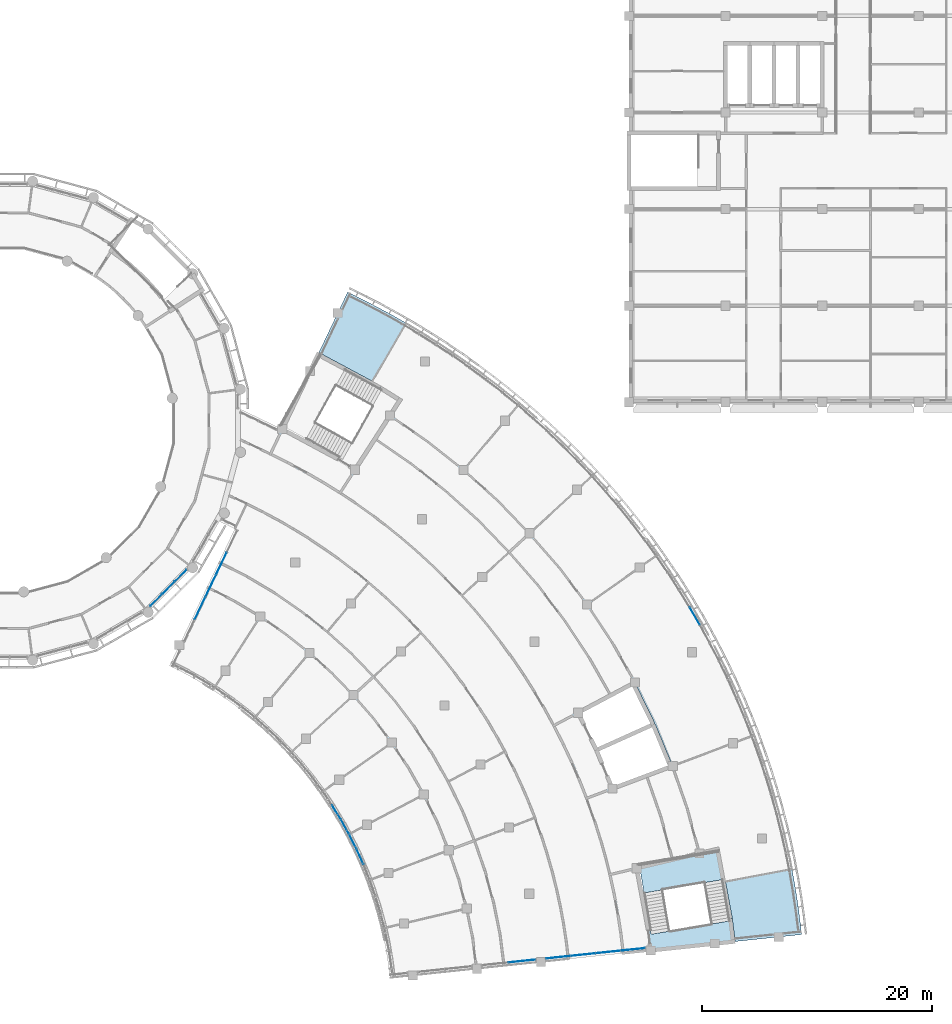
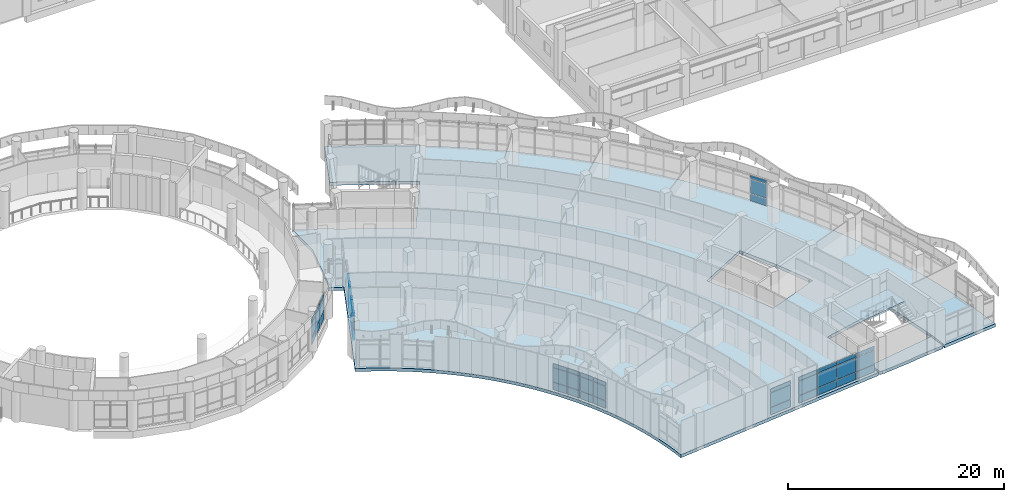
# One storey, part 34 of 109: 48 plates, 3 slabs, 8 elements without a shape of their own.
"""IFC4 building model written with IfcOpenShell, lengths in metres."""

from ifc_helpers import new_model, si_unit, direction, frame, origin, origin_2d, place, context, subcontext, project, spatial, polyline, rectangle, outline, extrude, material, layer, layer_set, type_object, element, aggregate, save


model = new_model("IFC4")

# Units and contexts
model_context = context("Model", 3, precision=1e-05, world=origin(), true_north=direction((0.0, 1.0)))
body_context = subcontext(model_context, "Body", "Model", "MODEL_VIEW")
ifc_project = project(units=[si_unit("LENGTHUNIT", "METRE"), si_unit("AREAUNIT", "SQUARE_METRE"), si_unit("VOLUMEUNIT", "CUBIC_METRE"), si_unit("PLANEANGLEUNIT", "RADIAN"), si_unit("MASSUNIT", "GRAM", prefix="KILO")], contexts=[model_context])

# Site, building, storey
site_placement = place(None, origin())
site = spatial("IfcSite", under=ifc_project, at=site_placement, CompositionType="ELEMENT")
building_placement = place(site_placement, origin())
building = spatial("IfcBuilding", under=site, at=building_placement, Name="Bougainvillea Quay General Hospital", CompositionType="ELEMENT")
storey_placement = place(building_placement, frame((0.0, 0.0, 12.60009765625)))
storey = spatial("IfcBuildingStorey", under=building, at=storey_placement, Name="L02", CompositionType="ELEMENT", Elevation=12.60009765625)

# Curtain wall, plates
ifc_material_1 = material(Name="Aluminium curtain wall system, powder-coated glazed", Category="aluminium")
curtain_wall_type_1 = type_object("IfcCurtainWallType", Name="Unitised curtain wall CW-2157", PredefinedType="NOTDEFINED", material=ifc_material_1)
curtain_wall_1_placement = place(storey_placement, origin())
curtain_wall_1 = element("IfcCurtainWall", 1, at=curtain_wall_1_placement, inside=storey, type_object=curtain_wall_type_1, Name="CW-AE 00", PredefinedType="NOTDEFINED")
ifc_material_2 = material(Name="Insulated aluminium spandrel panel, white", Category="aluminium")
ifc_layer_1 = layer(ifc_material_2, 0.028076171875)
ifc_layer_set_1 = layer_set([ifc_layer_1], Name="Insulated aluminium spandrel panel, white")
plate_type_1 = type_object("IfcPlateType", Name="Insulated spandrel panel white 28", PredefinedType="CURTAIN_PANEL", material=ifc_layer_set_1)
plate_1_placement = place(storey_placement, frame((128.353271484375, 61.575439453125, 0.059814453125), z_axis=(0.0, 0.0, 1.0), x_axis=(-0.430530445105, -0.902576055431, 0.0)))
plate_1 = element("IfcPlate", 2, at=plate_1_placement, type_object=plate_type_1, Name="CW-AE spandrel panel 2.1", PredefinedType="CURTAIN_PANEL", context=body_context, shape_type="SweptSolid", body=[
    extrude(rectangle(XDim=2.095947265625, YDim=0.028076171875, at=origin_2d()), origin(), (0.0, 0.0, 1.0), 0.81005859375),
])
plate_2_placement = place(storey_placement, frame((128.353271484375, 61.575439453125, 2.580078125), z_axis=(0.0, 0.0, 1.0), x_axis=(-0.430530445105, -0.902576055431, 0.0)))
plate_2 = element("IfcPlate", 3, at=plate_2_placement, type_object=plate_type_1, Name="CW-AE spandrel panel 2.3", PredefinedType="CURTAIN_PANEL", context=body_context, shape_type="SweptSolid", body=[
    extrude(rectangle(XDim=2.095947265625, YDim=0.028076171875, at=origin_2d()), origin(), (0.0, 0.0, 1.0), 0.409912109375),
])
plate_3_placement = place(storey_placement, frame((127.425048828125, 59.62939453125, 0.059814453125), z_axis=(0.0, 0.0, 1.0), x_axis=(-0.430530445105, -0.902576055431, 0.0)))
plate_3 = element("IfcPlate", 4, at=plate_3_placement, type_object=plate_type_1, Name="CW-AE spandrel panel 3.1", PredefinedType="CURTAIN_PANEL", context=body_context, shape_type="SweptSolid", body=[
    extrude(rectangle(XDim=2.095947265625, YDim=0.028076171875, at=origin_2d()), origin(), (0.0, 0.0, 1.0), 0.81005859375),
])
plate_4_placement = place(storey_placement, frame((127.425048828125, 59.62939453125, 2.580078125), z_axis=(0.0, 0.0, 1.0), x_axis=(-0.430530445105, -0.902576055431, 0.0)))
plate_4 = element("IfcPlate", 5, at=plate_4_placement, type_object=plate_type_1, Name="CW-AE spandrel panel 3.3", PredefinedType="CURTAIN_PANEL", context=body_context, shape_type="SweptSolid", body=[
    extrude(rectangle(XDim=2.095947265625, YDim=0.028076171875, at=origin_2d()), origin(), (0.0, 0.0, 1.0), 0.409912109375),
])
plate_5_placement = place(storey_placement, frame((126.496826171875, 57.683349609375, 0.059814453125), z_axis=(0.0, 0.0, 1.0), x_axis=(-0.430530445105, -0.902576055431, 0.0)))
plate_5 = element("IfcPlate", 6, at=plate_5_placement, type_object=plate_type_1, Name="CW-AE spandrel panel 4.1", PredefinedType="CURTAIN_PANEL", context=body_context, shape_type="SweptSolid", body=[
    extrude(rectangle(XDim=2.095947265625, YDim=0.028076171875, at=origin_2d()), origin(), (0.0, 0.0, 1.0), 0.81005859375),
])
plate_6_placement = place(storey_placement, frame((126.496826171875, 57.683349609375, 2.580078125), z_axis=(0.0, 0.0, 1.0), x_axis=(-0.430530445105, -0.902576055431, 0.0)))
plate_6 = element("IfcPlate", 7, at=plate_6_placement, type_object=plate_type_1, Name="CW-AE spandrel panel 4.3", PredefinedType="CURTAIN_PANEL", context=body_context, shape_type="SweptSolid", body=[
    extrude(rectangle(XDim=2.095947265625, YDim=0.028076171875, at=origin_2d()), origin(), (0.0, 0.0, 1.0), 0.409912109375),
])

curtain_wall_type_2 = type_object("IfcCurtainWallType", Name="Unitised curtain wall CW-2100", PredefinedType="NOTDEFINED", material=ifc_material_1)
curtain_wall_2_placement = place(storey_placement, origin())
curtain_wall_2 = element("IfcCurtainWall", 8, at=curtain_wall_2_placement, inside=storey, type_object=curtain_wall_type_2, Name="CW-E05 a21b4", PredefinedType="NOTDEFINED")
plate_7_placement = place(storey_placement, frame((138.3662109375, 39.9404296875, 0.059814453125), z_axis=(0.0, 0.0, 1.0), x_axis=(0.523926442936, -0.851763513185, 0.0)))
plate_7 = element("IfcPlate", 9, at=plate_7_placement, type_object=plate_type_1, Name="CW-E05 spandrel panel 2.1", PredefinedType="CURTAIN_PANEL", context=body_context, shape_type="SweptSolid", body=[
    extrude(rectangle(XDim=1.39697265625, YDim=0.028076171875, at=origin_2d()), origin(), (0.0, 0.0, 1.0), 0.81005859375),
])
plate_8_placement = place(storey_placement, frame((138.3662109375, 39.9404296875, 2.580078125), z_axis=(0.0, 0.0, 1.0), x_axis=(0.523926442936, -0.851763513185, 0.0)))
plate_8 = element("IfcPlate", 10, at=plate_8_placement, type_object=plate_type_1, Name="CW-E05 spandrel panel 2.3", PredefinedType="CURTAIN_PANEL", context=body_context, shape_type="SweptSolid", body=[
    extrude(rectangle(XDim=1.39697265625, YDim=0.028076171875, at=origin_2d()), origin(), (0.0, 0.0, 1.0), 0.409912109375),
])
plate_9_placement = place(storey_placement, frame((139.095458984375, 38.697021484375, 0.059814453125), z_axis=(0.0, 0.0, 1.0), x_axis=(0.487229803858, -0.873273793396, 0.0)))
plate_9 = element("IfcPlate", 11, at=plate_9_placement, type_object=plate_type_1, Name="CW-E05 spandrel panel 3.1", PredefinedType="CURTAIN_PANEL", context=body_context, shape_type="SweptSolid", body=[
    extrude(rectangle(XDim=1.366943359375, YDim=0.028076171875, at=origin_2d()), origin(), (0.0, 0.0, 1.0), 0.81005859375),
])
plate_10_placement = place(storey_placement, frame((139.095458984375, 38.697021484375, 2.580078125), z_axis=(0.0, 0.0, 1.0), x_axis=(0.487229803858, -0.873273793396, 0.0)))
plate_10 = element("IfcPlate", 12, at=plate_10_placement, type_object=plate_type_1, Name="CW-E05 spandrel panel 3.3", PredefinedType="CURTAIN_PANEL", context=body_context, shape_type="SweptSolid", body=[
    extrude(rectangle(XDim=1.366943359375, YDim=0.028076171875, at=origin_2d()), origin(), (0.0, 0.0, 1.0), 0.409912109375),
])

curtain_wall_3_placement = place(storey_placement, origin())
curtain_wall_3 = element("IfcCurtainWall", 13, at=curtain_wall_3_placement, inside=storey, type_object=curtain_wall_type_2, Name="CW-E06 a21b5", PredefinedType="NOTDEFINED")
plate_11_placement = place(storey_placement, frame((139.7919921875, 37.383544921875, 0.059814453125), z_axis=(0.0, 0.0, 1.0), x_axis=(0.449651602597, -0.893204028362, 0.0)))
plate_11 = element("IfcPlate", 14, at=plate_11_placement, type_object=plate_type_1, Name="CW-E06 spandrel panel 1.1", PredefinedType="CURTAIN_PANEL", context=body_context, shape_type="SweptSolid", body=[
    extrude(rectangle(XDim=1.366943359375, YDim=0.028076171875, at=origin_2d()), origin(), (0.0, 0.0, 1.0), 0.81005859375),
])
plate_12_placement = place(storey_placement, frame((139.7919921875, 37.383544921875, 2.580078125), z_axis=(0.0, 0.0, 1.0), x_axis=(0.449651602597, -0.893204028362, 0.0)))
plate_12 = element("IfcPlate", 15, at=plate_12_placement, type_object=plate_type_1, Name="CW-E06 spandrel panel 1.3", PredefinedType="CURTAIN_PANEL", context=body_context, shape_type="SweptSolid", body=[
    extrude(rectangle(XDim=1.366943359375, YDim=0.028076171875, at=origin_2d()), origin(), (0.0, 0.0, 1.0), 0.409912109375),
])
plate_13_placement = place(storey_placement, frame((140.412353515625, 36.08251953125, 0.059814453125), z_axis=(0.0, 0.0, 1.0), x_axis=(0.411259830755, -0.911518157585, 0.0)))
plate_13 = element("IfcPlate", 16, at=plate_13_placement, type_object=plate_type_1, Name="CW-E06 spandrel panel 2.1", PredefinedType="CURTAIN_PANEL", context=body_context, shape_type="SweptSolid", body=[
    extrude(rectangle(XDim=1.39697265625, YDim=0.028076171875, at=origin_2d()), origin(), (0.0, 0.0, 1.0), 0.81005859375),
])
plate_14_placement = place(storey_placement, frame((140.412353515625, 36.08251953125, 2.580078125), z_axis=(0.0, 0.0, 1.0), x_axis=(0.411259830755, -0.911518157585, 0.0)))
plate_14 = element("IfcPlate", 17, at=plate_14_placement, type_object=plate_type_1, Name="CW-E06 spandrel panel 2.3", PredefinedType="CURTAIN_PANEL", context=body_context, shape_type="SweptSolid", body=[
    extrude(rectangle(XDim=1.39697265625, YDim=0.028076171875, at=origin_2d()), origin(), (0.0, 0.0, 1.0), 0.409912109375),
])

curtain_wall_type_3 = type_object("IfcCurtainWallType", Name="Unitised curtain wall CW-2380", PredefinedType="NOTDEFINED", material=ifc_material_1)
curtain_wall_4_placement = place(storey_placement, origin())
curtain_wall_4 = element("IfcCurtainWall", 18, at=curtain_wall_4_placement, inside=storey, type_object=curtain_wall_type_3, Name="CW-AE 02", PredefinedType="NOTDEFINED")
plate_15_placement = place(storey_placement, frame((154.499267578125, 27.012451171875, 0.059814453125), z_axis=(0.0, 0.0, 1.0), x_axis=(0.9945220309, 0.104527173765, 0.0)))
plate_15 = element("IfcPlate", 19, at=plate_15_placement, type_object=plate_type_1, Name="CW-AE spandrel panel 2.1", PredefinedType="CURTAIN_PANEL", context=body_context, shape_type="SweptSolid", body=[
    extrude(rectangle(XDim=2.289794921875, YDim=0.028076171875, at=origin_2d()), origin(), (0.0, 0.0, 1.0), 0.81005859375),
])
plate_16_placement = place(storey_placement, frame((154.499267578125, 27.012451171875, 2.580078125), z_axis=(0.0, 0.0, 1.0), x_axis=(0.9945220309, 0.104527173765, 0.0)))
plate_16 = element("IfcPlate", 20, at=plate_16_placement, type_object=plate_type_1, Name="CW-AE spandrel panel 2.3", PredefinedType="CURTAIN_PANEL", context=body_context, shape_type="SweptSolid", body=[
    extrude(rectangle(XDim=2.289794921875, YDim=0.028076171875, at=origin_2d()), origin(), (0.0, 0.0, 1.0), 0.409912109375),
])

curtain_wall_type_4 = type_object("IfcCurtainWallType", Name="Unitised curtain wall CW-2190", PredefinedType="NOTDEFINED", material=ifc_material_1)
curtain_wall_5_placement = place(storey_placement, origin())
curtain_wall_5 = element("IfcCurtainWall", 21, at=curtain_wall_5_placement, inside=storey, type_object=curtain_wall_type_4, Name="CW-AE 03", PredefinedType="NOTDEFINED")
plate_17_placement = place(storey_placement, frame((157.63671875, 27.34228515625, 0.059814453125), z_axis=(0.0, 0.0, 1.0), x_axis=(0.9945220309, 0.104527173765, 0.0)))
plate_17 = element("IfcPlate", 22, at=plate_17_placement, type_object=plate_type_1, Name="CW-AE spandrel panel 1.1", PredefinedType="CURTAIN_PANEL", context=body_context, shape_type="SweptSolid", body=[
    extrude(rectangle(XDim=2.099853515625, YDim=0.028076171875, at=origin_2d()), origin(), (0.0, 0.0, 1.0), 0.81005859375),
])
plate_18_placement = place(storey_placement, frame((157.63671875, 27.34228515625, 2.580078125), z_axis=(0.0, 0.0, 1.0), x_axis=(0.9945220309, 0.104527173765, 0.0)))
plate_18 = element("IfcPlate", 23, at=plate_18_placement, type_object=plate_type_1, Name="CW-AE spandrel panel 1.3", PredefinedType="CURTAIN_PANEL", context=body_context, shape_type="SweptSolid", body=[
    extrude(rectangle(XDim=2.099853515625, YDim=0.028076171875, at=origin_2d()), origin(), (0.0, 0.0, 1.0), 0.409912109375),
])
plate_19_placement = place(storey_placement, frame((159.7998046875, 27.569580078125, 0.059814453125), z_axis=(0.0, 0.0, 1.0), x_axis=(0.9945220309, 0.104527173765, 0.0)))
plate_19 = element("IfcPlate", 24, at=plate_19_placement, type_object=plate_type_1, Name="CW-AE spandrel panel 2.1", PredefinedType="CURTAIN_PANEL", context=body_context, shape_type="SweptSolid", body=[
    extrude(rectangle(XDim=2.1298828125, YDim=0.028076171875, at=origin_2d()), origin(), (0.0, 0.0, 1.0), 0.81005859375),
])
plate_20_placement = place(storey_placement, frame((159.7998046875, 27.569580078125, 2.580078125), z_axis=(0.0, 0.0, 1.0), x_axis=(0.9945220309, 0.104527173765, 0.0)))
plate_20 = element("IfcPlate", 25, at=plate_20_placement, type_object=plate_type_1, Name="CW-AE spandrel panel 2.3", PredefinedType="CURTAIN_PANEL", context=body_context, shape_type="SweptSolid", body=[
    extrude(rectangle(XDim=2.1298828125, YDim=0.028076171875, at=origin_2d()), origin(), (0.0, 0.0, 1.0), 0.409912109375),
])
plate_21_placement = place(storey_placement, frame((161.977783203125, 27.798583984375, 0.059814453125), z_axis=(0.0, 0.0, 1.0), x_axis=(0.9945220309, 0.104527173765, 0.0)))
plate_21 = element("IfcPlate", 26, at=plate_21_placement, type_object=plate_type_1, Name="CW-AE spandrel panel 3.1", PredefinedType="CURTAIN_PANEL", context=body_context, shape_type="SweptSolid", body=[
    extrude(rectangle(XDim=2.1298828125, YDim=0.028076171875, at=origin_2d()), origin(), (0.0, 0.0, 1.0), 0.81005859375),
])
plate_22_placement = place(storey_placement, frame((161.977783203125, 27.798583984375, 2.580078125), z_axis=(0.0, 0.0, 1.0), x_axis=(0.9945220309, 0.104527173765, 0.0)))
plate_22 = element("IfcPlate", 27, at=plate_22_placement, type_object=plate_type_1, Name="CW-AE spandrel panel 3.3", PredefinedType="CURTAIN_PANEL", context=body_context, shape_type="SweptSolid", body=[
    extrude(rectangle(XDim=2.1298828125, YDim=0.028076171875, at=origin_2d()), origin(), (0.0, 0.0, 1.0), 0.409912109375),
])
plate_23_placement = place(storey_placement, frame((164.140625, 28.02587890625, 0.059814453125), z_axis=(0.0, 0.0, 1.0), x_axis=(0.9945220309, 0.104527173765, 0.0)))
plate_23 = element("IfcPlate", 28, at=plate_23_placement, type_object=plate_type_1, Name="CW-AE spandrel panel 4.1", PredefinedType="CURTAIN_PANEL", context=body_context, shape_type="SweptSolid", body=[
    extrude(rectangle(XDim=2.099853515625, YDim=0.028076171875, at=origin_2d()), origin(), (0.0, 0.0, 1.0), 0.81005859375),
])
plate_24_placement = place(storey_placement, frame((164.140625, 28.02587890625, 2.580078125), z_axis=(0.0, 0.0, 1.0), x_axis=(0.9945220309, 0.104527173765, 0.0)))
plate_24 = element("IfcPlate", 29, at=plate_24_placement, type_object=plate_type_1, Name="CW-AE spandrel panel 4.3", PredefinedType="CURTAIN_PANEL", context=body_context, shape_type="SweptSolid", body=[
    extrude(rectangle(XDim=2.099853515625, YDim=0.028076171875, at=origin_2d()), origin(), (0.0, 0.0, 1.0), 0.409912109375),
])

curtain_wall_6_placement = place(storey_placement, origin())
curtain_wall_6 = element("IfcCurtainWall", 30, at=curtain_wall_6_placement, inside=storey, type_object=curtain_wall_type_2, Name="CW-E05 a23b4", PredefinedType="NOTDEFINED")
plate_25_placement = place(storey_placement, frame((169.519287109375, 57.01318359375, 0.059814453125), z_axis=(0.0, 0.0, 1.0), x_axis=(0.502018002187, -0.864857170567, 0.0)))
plate_25 = element("IfcPlate", 31, at=plate_25_placement, type_object=plate_type_1, Name="CW-E05 spandrel panel 4.1", PredefinedType="CURTAIN_PANEL", context=body_context, shape_type="SweptSolid", body=[
    extrude(rectangle(XDim=1.72021484375, YDim=0.028076171875, at=origin_2d()), origin(), (0.0, 0.0, 1.0), 0.81005859375),
])
plate_26_placement = place(storey_placement, frame((169.519287109375, 57.01318359375, 2.580078125), z_axis=(0.0, 0.0, 1.0), x_axis=(0.502018002187, -0.864857170567, 0.0)))
plate_26 = element("IfcPlate", 32, at=plate_26_placement, type_object=plate_type_1, Name="CW-E05 spandrel panel 4.3", PredefinedType="CURTAIN_PANEL", context=body_context, shape_type="SweptSolid", body=[
    extrude(rectangle(XDim=1.72021484375, YDim=0.028076171875, at=origin_2d()), origin(), (0.0, 0.0, 1.0), 0.409912109375),
])

curtain_wall_type_5 = type_object("IfcCurtainWallType", Name="Unitised curtain wall CW-1514", PredefinedType="NOTDEFINED", material=ifc_material_1)
curtain_wall_7_placement = place(storey_placement, origin())
curtain_wall_7 = element("IfcCurtainWall", 33, at=curtain_wall_7_placement, inside=storey, type_object=curtain_wall_type_5, Name="CW-D 00", PredefinedType="NOTDEFINED")
plate_27_placement = place(storey_placement, frame((122.685302734375, 58.39501953125, 0.059814453125), z_axis=(0.0, 0.0, 1.0), x_axis=(0.707106781187, 0.707106781187, 0.0)))
plate_27 = element("IfcPlate", 34, at=plate_27_placement, type_object=plate_type_1, Name="CW-D spandrel panel 1.1", PredefinedType="CURTAIN_PANEL", context=body_context, shape_type="SweptSolid", body=[
    extrude(rectangle(XDim=1.423828125, YDim=0.028076171875, at=origin_2d()), origin(), (0.0, 0.0, 1.0), 0.81005859375),
])
plate_28_placement = place(storey_placement, frame((122.685302734375, 58.39501953125, 2.580078125), z_axis=(0.0, 0.0, 1.0), x_axis=(0.707106781187, 0.707106781187, 0.0)))
plate_28 = element("IfcPlate", 35, at=plate_28_placement, type_object=plate_type_1, Name="CW-D spandrel panel 1.3", PredefinedType="CURTAIN_PANEL", context=body_context, shape_type="SweptSolid", body=[
    extrude(rectangle(XDim=1.423828125, YDim=0.028076171875, at=origin_2d()), origin(), (0.0, 0.0, 1.0), 0.409912109375),
])
plate_29_placement = place(storey_placement, frame((123.7451171875, 59.454833984375, 0.059814453125), z_axis=(0.0, 0.0, 1.0), x_axis=(0.707106781187, 0.707106781187, 0.0)))
plate_29 = element("IfcPlate", 36, at=plate_29_placement, type_object=plate_type_1, Name="CW-D spandrel panel 2.1", PredefinedType="CURTAIN_PANEL", context=body_context, shape_type="SweptSolid", body=[
    extrude(rectangle(XDim=1.453857421875, YDim=0.028076171875, at=origin_2d()), origin(), (0.0, 0.0, 1.0), 0.81005859375),
])
plate_30_placement = place(storey_placement, frame((123.7451171875, 59.454833984375, 2.580078125), z_axis=(0.0, 0.0, 1.0), x_axis=(0.707106781187, 0.707106781187, 0.0)))
plate_30 = element("IfcPlate", 37, at=plate_30_placement, type_object=plate_type_1, Name="CW-D spandrel panel 2.3", PredefinedType="CURTAIN_PANEL", context=body_context, shape_type="SweptSolid", body=[
    extrude(rectangle(XDim=1.453857421875, YDim=0.028076171875, at=origin_2d()), origin(), (0.0, 0.0, 1.0), 0.409912109375),
])
plate_31_placement = place(storey_placement, frame((124.80517578125, 60.5146484375, 0.059814453125), z_axis=(0.0, 0.0, 1.0), x_axis=(0.707106781187, 0.707106781187, 0.0)))
plate_31 = element("IfcPlate", 38, at=plate_31_placement, type_object=plate_type_1, Name="CW-D spandrel panel 3.1", PredefinedType="CURTAIN_PANEL", context=body_context, shape_type="SweptSolid", body=[
    extrude(rectangle(XDim=1.423828125, YDim=0.028076171875, at=origin_2d()), origin(), (0.0, 0.0, 1.0), 0.81005859375),
])
plate_32_placement = place(storey_placement, frame((124.80517578125, 60.5146484375, 2.580078125), z_axis=(0.0, 0.0, 1.0), x_axis=(0.707106781187, 0.707106781187, 0.0)))
plate_32 = element("IfcPlate", 39, at=plate_32_placement, type_object=plate_type_1, Name="CW-D spandrel panel 3.3", PredefinedType="CURTAIN_PANEL", context=body_context, shape_type="SweptSolid", body=[
    extrude(rectangle(XDim=1.423828125, YDim=0.028076171875, at=origin_2d()), origin(), (0.0, 0.0, 1.0), 0.409912109375),
])

# Plate
ifc_material_3 = material(Name="Low-e laminated glass, solar control", Category="glass")
ifc_layer_2 = layer(ifc_material_3, 0.028076171875)
ifc_layer_set_2 = layer_set([ifc_layer_2], Name="Low-e laminated glass, solar control")
plate_type_2 = type_object("IfcPlateType", Name="Low-e laminated vision glass 28", PredefinedType="CURTAIN_PANEL", material=ifc_layer_set_2)
plate_33_placement = place(storey_placement, frame((128.353271484375, 61.575439453125, 0.9296875), z_axis=(0.0, 0.0, 1.0), x_axis=(-0.430530445105, -0.902576055431, 0.0)))
plate_33 = element("IfcPlate", 40, at=plate_33_placement, type_object=plate_type_2, Name="CW-AE vision glass panel 2.2", PredefinedType="CURTAIN_PANEL", context=body_context, shape_type="SweptSolid", body=[
    extrude(rectangle(XDim=2.095947265625, YDim=0.028076171875, at=origin_2d()), origin(), (0.0, 0.0, 1.0), 1.590087890625),
])

plate_34_placement = place(storey_placement, frame((127.425048828125, 59.62939453125, 0.9296875), z_axis=(0.0, 0.0, 1.0), x_axis=(-0.430530445105, -0.902576055431, 0.0)))
plate_34 = element("IfcPlate", 41, at=plate_34_placement, type_object=plate_type_2, Name="CW-AE vision glass panel 3.2", PredefinedType="CURTAIN_PANEL", context=body_context, shape_type="SweptSolid", body=[
    extrude(rectangle(XDim=2.095947265625, YDim=0.028076171875, at=origin_2d()), origin(), (0.0, 0.0, 1.0), 1.590087890625),
])

plate_35_placement = place(storey_placement, frame((126.496826171875, 57.683349609375, 0.9296875), z_axis=(0.0, 0.0, 1.0), x_axis=(-0.430530445105, -0.902576055431, 0.0)))
plate_35 = element("IfcPlate", 42, at=plate_35_placement, type_object=plate_type_2, Name="CW-AE vision glass panel 4.2", PredefinedType="CURTAIN_PANEL", context=body_context, shape_type="SweptSolid", body=[
    extrude(rectangle(XDim=2.095947265625, YDim=0.028076171875, at=origin_2d()), origin(), (0.0, 0.0, 1.0), 1.590087890625),
])

aggregate(curtain_wall_1, [plate_1, plate_33, plate_2, plate_3, plate_34, plate_4, plate_5, plate_35, plate_6])

plate_36_placement = place(storey_placement, frame((138.3662109375, 39.9404296875, 0.9296875), z_axis=(0.0, 0.0, 1.0), x_axis=(0.523926442936, -0.851763513185, 0.0)))
plate_36 = element("IfcPlate", 43, at=plate_36_placement, type_object=plate_type_2, Name="CW-E05 vision glass panel 2.2", PredefinedType="CURTAIN_PANEL", context=body_context, shape_type="SweptSolid", body=[
    extrude(rectangle(XDim=1.39697265625, YDim=0.028076171875, at=origin_2d()), origin(), (0.0, 0.0, 1.0), 1.590087890625),
])

plate_37_placement = place(storey_placement, frame((139.095458984375, 38.697021484375, 0.9296875), z_axis=(0.0, 0.0, 1.0), x_axis=(0.487229803858, -0.873273793396, 0.0)))
plate_37 = element("IfcPlate", 44, at=plate_37_placement, type_object=plate_type_2, Name="CW-E05 vision glass panel 3.2", PredefinedType="CURTAIN_PANEL", context=body_context, shape_type="SweptSolid", body=[
    extrude(rectangle(XDim=1.366943359375, YDim=0.028076171875, at=origin_2d()), origin(), (0.0, 0.0, 1.0), 1.590087890625),
])

aggregate(curtain_wall_2, [plate_7, plate_36, plate_8, plate_9, plate_37, plate_10])

plate_38_placement = place(storey_placement, frame((139.7919921875, 37.383544921875, 0.9296875), z_axis=(0.0, 0.0, 1.0), x_axis=(0.449651602597, -0.893204028362, 0.0)))
plate_38 = element("IfcPlate", 45, at=plate_38_placement, type_object=plate_type_2, Name="CW-E06 vision glass panel 1.2", PredefinedType="CURTAIN_PANEL", context=body_context, shape_type="SweptSolid", body=[
    extrude(rectangle(XDim=1.366943359375, YDim=0.028076171875, at=origin_2d()), origin(), (0.0, 0.0, 1.0), 1.590087890625),
])

plate_39_placement = place(storey_placement, frame((140.412353515625, 36.08251953125, 0.9296875), z_axis=(0.0, 0.0, 1.0), x_axis=(0.411259830755, -0.911518157585, 0.0)))
plate_39 = element("IfcPlate", 46, at=plate_39_placement, type_object=plate_type_2, Name="CW-E06 vision glass panel 2.2", PredefinedType="CURTAIN_PANEL", context=body_context, shape_type="SweptSolid", body=[
    extrude(rectangle(XDim=1.39697265625, YDim=0.028076171875, at=origin_2d()), origin(), (0.0, 0.0, 1.0), 1.590087890625),
])

aggregate(curtain_wall_3, [plate_11, plate_38, plate_12, plate_13, plate_39, plate_14])

plate_40_placement = place(storey_placement, frame((154.499267578125, 27.012451171875, 0.9296875), z_axis=(0.0, 0.0, 1.0), x_axis=(0.9945220309, 0.104527173765, 0.0)))
plate_40 = element("IfcPlate", 47, at=plate_40_placement, type_object=plate_type_2, Name="CW-AE vision glass panel 2.2", PredefinedType="CURTAIN_PANEL", context=body_context, shape_type="SweptSolid", body=[
    extrude(rectangle(XDim=2.289794921875, YDim=0.028076171875, at=origin_2d()), origin(), (0.0, 0.0, 1.0), 1.590087890625),
])

aggregate(curtain_wall_4, [plate_15, plate_40, plate_16])

plate_41_placement = place(storey_placement, frame((157.63671875, 27.34228515625, 0.9296875), z_axis=(0.0, 0.0, 1.0), x_axis=(0.9945220309, 0.104527173765, 0.0)))
plate_41 = element("IfcPlate", 48, at=plate_41_placement, type_object=plate_type_2, Name="CW-AE vision glass panel 1.2", PredefinedType="CURTAIN_PANEL", context=body_context, shape_type="SweptSolid", body=[
    extrude(rectangle(XDim=2.099853515625, YDim=0.028076171875, at=origin_2d()), origin(), (0.0, 0.0, 1.0), 1.590087890625),
])

plate_42_placement = place(storey_placement, frame((159.7998046875, 27.569580078125, 0.9296875), z_axis=(0.0, 0.0, 1.0), x_axis=(0.9945220309, 0.104527173765, 0.0)))
plate_42 = element("IfcPlate", 49, at=plate_42_placement, type_object=plate_type_2, Name="CW-AE vision glass panel 2.2", PredefinedType="CURTAIN_PANEL", context=body_context, shape_type="SweptSolid", body=[
    extrude(rectangle(XDim=2.1298828125, YDim=0.028076171875, at=origin_2d()), origin(), (0.0, 0.0, 1.0), 1.590087890625),
])

plate_43_placement = place(storey_placement, frame((161.977783203125, 27.798583984375, 0.9296875), z_axis=(0.0, 0.0, 1.0), x_axis=(0.9945220309, 0.104527173765, 0.0)))
plate_43 = element("IfcPlate", 50, at=plate_43_placement, type_object=plate_type_2, Name="CW-AE vision glass panel 3.2", PredefinedType="CURTAIN_PANEL", context=body_context, shape_type="SweptSolid", body=[
    extrude(rectangle(XDim=2.1298828125, YDim=0.028076171875, at=origin_2d()), origin(), (0.0, 0.0, 1.0), 1.590087890625),
])

plate_44_placement = place(storey_placement, frame((164.140625, 28.02587890625, 0.9296875), z_axis=(0.0, 0.0, 1.0), x_axis=(0.9945220309, 0.104527173765, 0.0)))
plate_44 = element("IfcPlate", 51, at=plate_44_placement, type_object=plate_type_2, Name="CW-AE vision glass panel 4.2", PredefinedType="CURTAIN_PANEL", context=body_context, shape_type="SweptSolid", body=[
    extrude(rectangle(XDim=2.099853515625, YDim=0.028076171875, at=origin_2d()), origin(), (0.0, 0.0, 1.0), 1.590087890625),
])

aggregate(curtain_wall_5, [plate_17, plate_41, plate_18, plate_19, plate_42, plate_20, plate_21, plate_43, plate_22, plate_23, plate_44, plate_24])

plate_45_placement = place(storey_placement, frame((169.519287109375, 57.01318359375, 0.9296875), z_axis=(0.0, 0.0, 1.0), x_axis=(0.502018002187, -0.864857170567, 0.0)))
plate_45 = element("IfcPlate", 52, at=plate_45_placement, type_object=plate_type_2, Name="CW-E05 vision glass panel 4.2", PredefinedType="CURTAIN_PANEL", context=body_context, shape_type="SweptSolid", body=[
    extrude(rectangle(XDim=1.72021484375, YDim=0.028076171875, at=origin_2d()), origin(), (0.0, 0.0, 1.0), 1.590087890625),
])

aggregate(curtain_wall_6, [plate_25, plate_45, plate_26])

plate_46_placement = place(storey_placement, frame((122.685302734375, 58.39501953125, 0.9296875), z_axis=(0.0, 0.0, 1.0), x_axis=(0.707106781187, 0.707106781187, 0.0)))
plate_46 = element("IfcPlate", 53, at=plate_46_placement, type_object=plate_type_2, Name="CW-D vision glass panel 1.2", PredefinedType="CURTAIN_PANEL", context=body_context, shape_type="SweptSolid", body=[
    extrude(rectangle(XDim=1.423828125, YDim=0.028076171875, at=origin_2d()), origin(), (0.0, 0.0, 1.0), 1.590087890625),
])

plate_47_placement = place(storey_placement, frame((123.7451171875, 59.454833984375, 0.9296875), z_axis=(0.0, 0.0, 1.0), x_axis=(0.707106781187, 0.707106781187, 0.0)))
plate_47 = element("IfcPlate", 54, at=plate_47_placement, type_object=plate_type_2, Name="CW-D vision glass panel 2.2", PredefinedType="CURTAIN_PANEL", context=body_context, shape_type="SweptSolid", body=[
    extrude(rectangle(XDim=1.453857421875, YDim=0.028076171875, at=origin_2d()), origin(), (0.0, 0.0, 1.0), 1.590087890625),
])

plate_48_placement = place(storey_placement, frame((124.80517578125, 60.5146484375, 0.9296875), z_axis=(0.0, 0.0, 1.0), x_axis=(0.707106781187, 0.707106781187, 0.0)))
plate_48 = element("IfcPlate", 55, at=plate_48_placement, type_object=plate_type_2, Name="CW-D vision glass panel 3.2", PredefinedType="CURTAIN_PANEL", context=body_context, shape_type="SweptSolid", body=[
    extrude(rectangle(XDim=1.423828125, YDim=0.028076171875, at=origin_2d()), origin(), (0.0, 0.0, 1.0), 1.590087890625),
])

aggregate(curtain_wall_7, [plate_27, plate_46, plate_28, plate_29, plate_47, plate_30, plate_31, plate_48, plate_32])

# Slabs
ifc_material_4 = material(Name="Concrete C35", Category="concrete")
ifc_layer_3 = layer(ifc_material_4, 0.35009765625)
ifc_layer_set_3 = layer_set([ifc_layer_3], Name="Concrete C35")
slab_type_1 = type_object("IfcSlabType", Name="RC FLAT SLAB 350 C35", PredefinedType="FLOOR", material=ifc_layer_set_3)
slab_1_placement = place(storey_placement, frame((0.0, 0.0, -0.35009765625)))
element("IfcSlab", 56, at=slab_1_placement, inside=storey, type_object=slab_type_1, Name="Slab S4 L02", PredefinedType="FLOOR", context=body_context, shape_type="SweptSolid", body=[
    extrude(outline(polyline([(166.98291015625, 61.510986328125), (168.177978515625, 59.705078125), (169.31591796875, 57.862060546875), (170.39599609375, 55.985107421875), (171.41796875, 54.075927734375), (172.381103515625, 52.135986328125), (173.282958984375, 50.1669921875), (174.1240234375, 48.1708984375), (174.902099609375, 46.14990234375), (175.617919921875, 44.10595703125), (176.27001953125, 42.041015625), (176.85791015625, 39.9560546875), (177.381103515625, 37.85498046875), (177.839111328125, 35.738037109375), (178.23095703125, 33.60791015625), (178.556884765625, 31.467041015625), (178.81689453125, 29.31689453125), (173.0234375, 28.7080078125), (173.004638671875, 28.88623046875), (172.829345703125, 28.867919921875), (173.001708984375, 28.888916015625), (172.77734375, 30.736572265625), (172.602783203125, 30.720947265625), (172.77392578125, 30.758544921875), (171.68310546875, 36.60107421875), (171.5166015625, 36.570068359375), (171.689697265625, 36.611083984375), (171.60888671875, 36.95166015625), (165.155517578125, 35.423583984375), (164.694091796875, 35.344970703125), (164.694091796875, 35.344970703125), (164.698974609375, 35.3154296875), (164.262451171875, 35.2119140625), (164.337158203125, 34.878662109375), (165.296875, 29.71337890625), (165.514404296875, 27.9189453125), (143.013916015625, 25.553955078125), (142.887939453125, 26.597900390625), (142.72900390625, 27.637939453125), (142.5390625, 28.673095703125), (142.31591796875, 29.700927734375), (142.06201171875, 30.721923828125), (141.777099609375, 31.73388671875), (141.4599609375, 32.737060546875), (141.112060546875, 33.72998046875), (140.73388671875, 34.7119140625), (140.325927734375, 35.680908203125), (139.887939453125, 36.636962890625), (139.419921875, 37.580078125), (138.924072265625, 38.507080078125), (138.39892578125, 39.4189453125), (137.845947265625, 40.31396484375), (137.26611328125, 41.19091796875), (136.658935546875, 42.050048828125), (136.02587890625, 42.889892578125), (135.365966796875, 43.7099609375), (134.681884765625, 44.509033203125), (133.97412109375, 45.285888671875), (133.241943359375, 46.0419921875), (132.486083984375, 46.77392578125), (131.708984375, 47.48193359375), (130.909912109375, 48.166015625), (130.090087890625, 48.825927734375), (129.25, 49.458984375), (128.39111328125, 50.06591796875), (127.513916015625, 50.64599609375), (126.618896484375, 51.198974609375), (125.70703125, 51.72412109375), (124.780029296875, 52.219970703125), (123.8369140625, 52.68798828125), (129.52001953125, 64.60205078125), (128.18310546875, 65.239990234375), (128.60107421875, 65.964111328125), (130.02001953125, 71.259033203125), (130.02001953125, 75.0), (133.4951171875, 73.34228515625), (133.419677734375, 73.184326171875), (133.726318359375, 73.03369140625), (138.353271484375, 70.54345703125), (140.03515625, 69.4970703125), (140.2197265625, 69.791015625), (144.122802734375, 75.84130859375), (143.828857421875, 76.031005859375), (143.733154296875, 75.8828125), (143.824951171875, 76.030029296875), (142.244140625, 77.013671875), (142.14697265625, 76.867919921875), (142.224853515625, 77.02490234375), (136.989990234375, 79.83642578125), (136.909912109375, 79.68701171875), (136.986328125, 79.84765625), (136.827880859375, 79.923095703125), (139.3359375, 85.180908203125), (141.27587890625, 84.218017578125), (143.18505859375, 83.196044921875), (145.06201171875, 82.115966796875), (146.905029296875, 80.97802734375), (148.7109375, 79.782958984375), (150.47998046875, 78.532958984375), (152.208984375, 77.22900390625), (153.89697265625, 75.8720703125), (155.5419921875, 74.464111328125), (157.14306640625, 73.0048828125), (158.697021484375, 71.4970703125), (160.205078125, 69.943115234375), (161.6640625, 68.342041015625), (163.072021484375, 66.697021484375), (164.428955078125, 65.009033203125), (165.73291015625, 63.280029296875), (166.98291015625, 61.510986328125)]), holes=[polyline([(162.132080078125, 42.10693359375), (162.255859375, 41.78564453125), (167.637451171875, 43.810791015625), (167.51416015625, 44.138427734375), (167.347900390625, 44.07568359375), (167.5068359375, 44.1416015625), (166.059814453125, 47.6416015625), (165.89599609375, 47.580078125), (166.05078125, 47.662109375), (164.384033203125, 51.063720703125), (164.2294921875, 50.988037109375), (164.38671875, 51.0712890625), (164.22265625, 51.380615234375), (159.142333984375, 48.685546875), (159.301513671875, 48.3798828125), (160.814453125, 45.2880859375), (162.132080078125, 42.10693359375)])]), origin(), (0.0, 0.0, 1.0), 0.35009765625),
])
slab_2_placement = place(storey_placement, frame((0.0, 0.0, -0.35009765625)))
element("IfcSlab", 57, at=slab_2_placement, inside=storey, type_object=slab_type_1, Name="Stair landing floor ST-E2 L02", PredefinedType="FLOOR", context=body_context, shape_type="SweptSolid", body=[
    extrude(outline(polyline([(169.1787109375, 28.2578125), (165.95751953125, 27.919189453125), (165.94921875, 27.968505859375), (165.68798828125, 27.94091796875), (165.469970703125, 29.739990234375), (165.448486328125, 29.879638671875), (165.501220703125, 29.902587890625), (165.55712890625, 29.9208984375), (165.61376953125, 29.93359375), (165.71484375, 29.341552734375), (172.57568359375, 30.5087890625), (172.47509765625, 31.10107421875), (172.53271484375, 31.10791015625), (172.54345703125, 31.108154296875), (172.60302734375, 30.720947265625), (172.7626953125, 29.406005859375), (172.8515625, 28.8828125), (172.82666015625, 28.87841796875), (172.84912109375, 28.694091796875), (169.952392578125, 28.389404296875), (169.1787109375, 28.2578125)])), origin(), (0.0, 0.0, 1.0), 0.35009765625),
])

# Stair, slab
stair_type = type_object("IfcStairType", Name="Stair half-turn 1650 wide", PredefinedType="HALF_TURN_STAIR", material=ifc_material_4)
stair_placement = place(storey_placement, origin())
stair = element("IfcStair", 58, at=stair_placement, inside=storey, type_object=stair_type, Name="L02 stair ST-E2", PredefinedType="HALF_TURN_STAIR")
ifc_layer_4 = layer(ifc_material_4, 0.199951171875)
ifc_layer_set_4 = layer_set([ifc_layer_4], Name="Concrete C35")
slab_type_2 = type_object("IfcSlabType", Name="Stair landing 200", PredefinedType="LANDING", material=ifc_layer_set_4)
slab_3_placement = place(storey_placement, frame((0.0, 0.0, 1.89990234375)))
slab_3 = element("IfcSlab", 59, at=slab_3_placement, type_object=slab_type_2, Name="ST-E2 landing 1", PredefinedType="LANDING", context=body_context, shape_type="SweptSolid", body=[
    extrude(outline(polyline([(171.96435546875, 34.09765625), (171.544677734375, 36.563232421875), (164.685302734375, 35.396240234375), (165.104736328125, 32.9306640625), (171.96435546875, 34.09765625)])), origin(), (0.0, 0.0, 1.0), 0.199951171875),
])
aggregate(stair, [slab_3])

save(model, "model.ifc")
